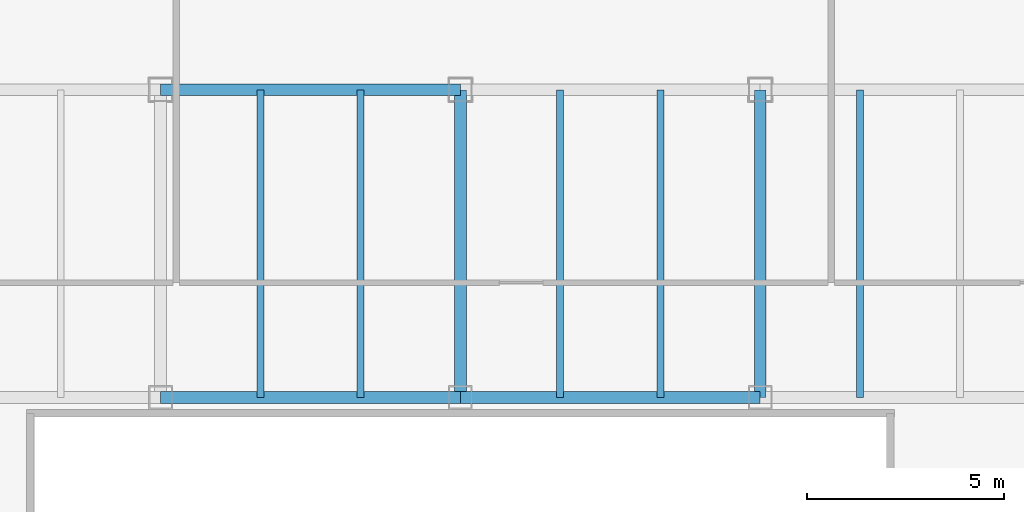
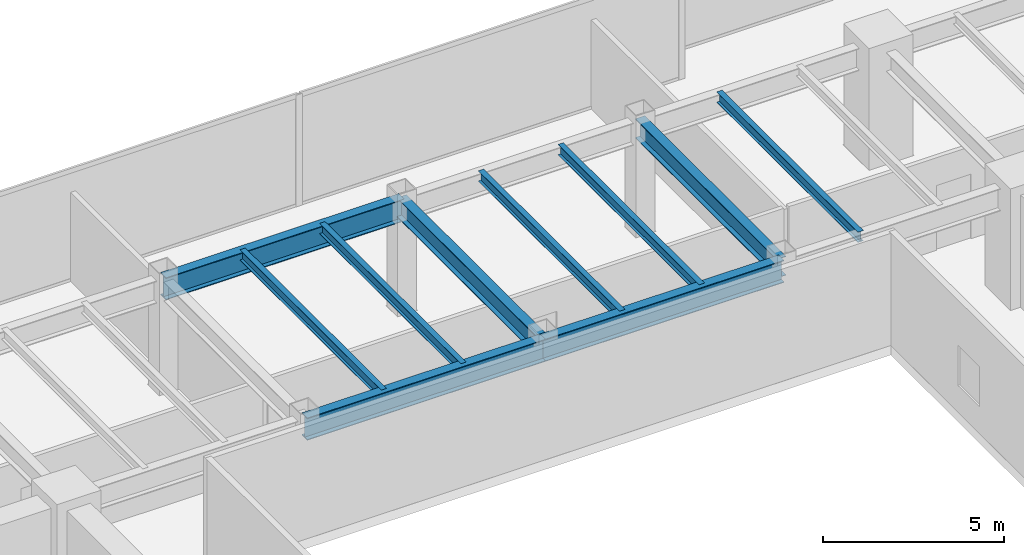
# One storey, part 17 of 37: 10 beams.
"""IFC4 building model written with IfcOpenShell, lengths in metres."""

from ifc_helpers import new_model, si_unit, direction, frame, origin, origin_2d, place, context, subcontext, project, spatial, i_section, extrude, source, transform, mapped, material, material_profile, profile_set, type_object, type_shapes, element, save


model = new_model("IFC4")

# Units and contexts
model_context = context("Model", 3, precision=1e-05, world=origin(), true_north=direction((0.0, 1.0)))
body_context = subcontext(model_context, "Body", "Model", "MODEL_VIEW")
ifc_project = project(units=[si_unit("LENGTHUNIT", "METRE"), si_unit("AREAUNIT", "SQUARE_METRE"), si_unit("VOLUMEUNIT", "CUBIC_METRE"), si_unit("PLANEANGLEUNIT", "RADIAN"), si_unit("MASSUNIT", "GRAM", prefix="KILO")], contexts=[model_context])

# Site, building, storey
site_placement = place(None, origin())
site = spatial("IfcSite", under=ifc_project, at=site_placement, CompositionType="ELEMENT")
building_placement = place(site_placement, origin())
building = spatial("IfcBuilding", under=site, at=building_placement, Name="Haelvirn Gate Laboratories", CompositionType="ELEMENT")
storey_placement = place(building_placement, frame((0.0, 0.0, 78.5)))
storey = spatial("IfcBuildingStorey", under=building, at=storey_placement, Name="L19", CompositionType="ELEMENT", Elevation=78.5)

# Beams
ifc_material = material(Name="Steel SM355", Category="steel")
ifc_material_profile_1 = material_profile(ifc_material, i_section(OverallWidth=0.300048828125, OverallDepth=0.75, WebThickness=0.013916015625, FlangeThickness=0.02392578125, at=origin_2d()), Name="H-750x300x14x24")
ifc_profile_set_1 = profile_set([ifc_material_profile_1], Name="Steel SM355")
beam_type_1 = type_object("IfcBeamType", Name="BM-G-750", PredefinedType="BEAM", material=ifc_profile_set_1)
shared_shape_1 = source(origin(), body_context, "Body", "SweptSolid", [
    extrude(i_section(OverallWidth=0.300048828125, OverallDepth=0.75, WebThickness=0.013916015625, FlangeThickness=0.02392578125, at=origin_2d()), origin(), (0.0, 0.0, 1.0), 7.60009765625),
])
beam_placement = place(storey_placement, frame((37.39990234375, 33.800048828125, 3.405029296875), z_axis=(1.0, 0.0, 0.0), x_axis=(0.0, 1.0, 0.0)))
element("IfcBeam", 1, at=beam_placement, inside=storey, type_object=beam_type_1, Name="L19 Primary Girder Y33.8 (37.4-45.0)", PredefinedType="BEAM", context=body_context, shape_type="MappedRepresentation", body=[
    mapped(shared_shape_1, transform((0.0, 0.0, 0.0), scale=1.0)),
])
shared_shape_2 = source(origin(), body_context, "Body", "SweptSolid", [
    extrude(i_section(OverallWidth=0.300048828125, OverallDepth=0.75, WebThickness=0.013916015625, FlangeThickness=0.02392578125, at=origin_2d()), origin(), (0.0, 0.0, 1.0), 7.599853515625),
])
type_shapes(beam_type_1, [shared_shape_1, shared_shape_2])
for number, where, z_axis, x_axis, name in (
    (2, (29.800048828125, 33.800048828125, 3.405029296875), (1.0, 0.0, 0.0), (0.0, 1.0, 0.0), "L19 Primary Girder Y33.8 (29.8-37.4)"),
    (3, (29.800048828125, 41.60009765625, 3.405029296875), (1.0, 0.0, 0.0), (0.0, 1.0, 0.0), "L19 Primary Girder Y41.6 (29.8-37.4)"),
):
    element("IfcBeam", number, at=place(storey_placement, frame(where, z_axis=z_axis, x_axis=x_axis)), inside=storey, type_object=beam_type_1, Name=name, PredefinedType="BEAM", context=body_context, shape_type="MappedRepresentation", body=[
        mapped(shared_shape_2, transform((0.0, 0.0, 0.0), scale=1.0)),
    ])
ifc_material_profile_2 = material_profile(ifc_material, i_section(OverallWidth=0.175048828125, OverallDepth=0.35009765625, WebThickness=0.007080078125, FlangeThickness=0.010986328125, at=origin_2d()), Name="H-350x175x7x11")
ifc_profile_set_2 = profile_set([ifc_material_profile_2], Name="Steel SM355")
beam_type_2 = type_object("IfcBeamType", Name="BM-J-350", PredefinedType="JOIST", material=ifc_profile_set_2)
shared_shape_3 = source(origin(), body_context, "Body", "SweptSolid", [
    extrude(i_section(OverallWidth=0.175048828125, OverallDepth=0.35009765625, WebThickness=0.007080078125, FlangeThickness=0.010986328125, at=origin_2d()), origin(), (0.0, 0.0, 1.0), 7.800048828125),
])
type_shapes(beam_type_2, [shared_shape_3])
for number, where, z_axis, x_axis, name in (
    (4, (32.330078125, 33.800048828125, 3.60498046875), (0.0, 1.0, 0.0), (-1.0, 0.0, 0.0), "L19 Composite Lab Joist North X32.33"),
    (5, (34.8701171875, 33.800048828125, 3.60498046875), (0.0, 1.0, 0.0), (-1.0, 0.0, 0.0), "L19 Composite Lab Joist North X34.87"),
    (6, (39.929931640625, 33.800048828125, 3.60498046875), (0.0, 1.0, 0.0), (-1.0, 0.0, 0.0), "L19 Composite Lab Joist North X39.93"),
    (7, (42.469970703125, 33.800048828125, 3.60498046875), (0.0, 1.0, 0.0), (-1.0, 0.0, 0.0), "L19 Composite Lab Joist North X42.47"),
    (8, (47.530029296875, 33.800048828125, 3.60498046875), (0.0, 1.0, 0.0), (-1.0, 0.0, 0.0), "L19 Composite Lab Joist North X47.53"),
):
    element("IfcBeam", number, at=place(storey_placement, frame(where, z_axis=z_axis, x_axis=x_axis)), inside=storey, type_object=beam_type_2, Name=name, PredefinedType="JOIST", context=body_context, shape_type="MappedRepresentation", body=[
        mapped(shared_shape_3, transform((0.0, 0.0, 0.0), scale=1.0)),
    ])
ifc_material_profile_3 = material_profile(ifc_material, i_section(OverallWidth=0.300048828125, OverallDepth=0.64990234375, WebThickness=0.012939453125, FlangeThickness=0.02197265625, at=origin_2d()), Name="H-650x300x13x22")
ifc_profile_set_3 = profile_set([ifc_material_profile_3], Name="Steel SM355")
beam_type_3 = type_object("IfcBeamType", Name="BM-G-650", PredefinedType="BEAM", material=ifc_profile_set_3)
shared_shape_4 = source(origin(), body_context, "Body", "SweptSolid", [
    extrude(i_section(OverallWidth=0.300048828125, OverallDepth=0.64990234375, WebThickness=0.012939453125, FlangeThickness=0.02197265625, at=origin_2d()), origin(), (0.0, 0.0, 1.0), 7.800048828125),
])
type_shapes(beam_type_3, [shared_shape_4])
for number, where, z_axis, x_axis, name in (
    (9, (37.39990234375, 33.800048828125, 3.455078125), (0.0, 1.0, 0.0), (-1.0, 0.0, 0.0), "L19 Frame Girder X37.4 (33.8-41.6)"),
    (10, (45.0, 33.800048828125, 3.455078125), (0.0, 1.0, 0.0), (-1.0, 0.0, 0.0), "L19 Frame Girder X45.0 (33.8-41.6)"),
):
    element("IfcBeam", number, at=place(storey_placement, frame(where, z_axis=z_axis, x_axis=x_axis)), inside=storey, type_object=beam_type_3, Name=name, PredefinedType="BEAM", context=body_context, shape_type="MappedRepresentation", body=[
        mapped(shared_shape_4, transform((0.0, 0.0, 0.0), scale=1.0)),
    ])

save(model, "model.ifc")
